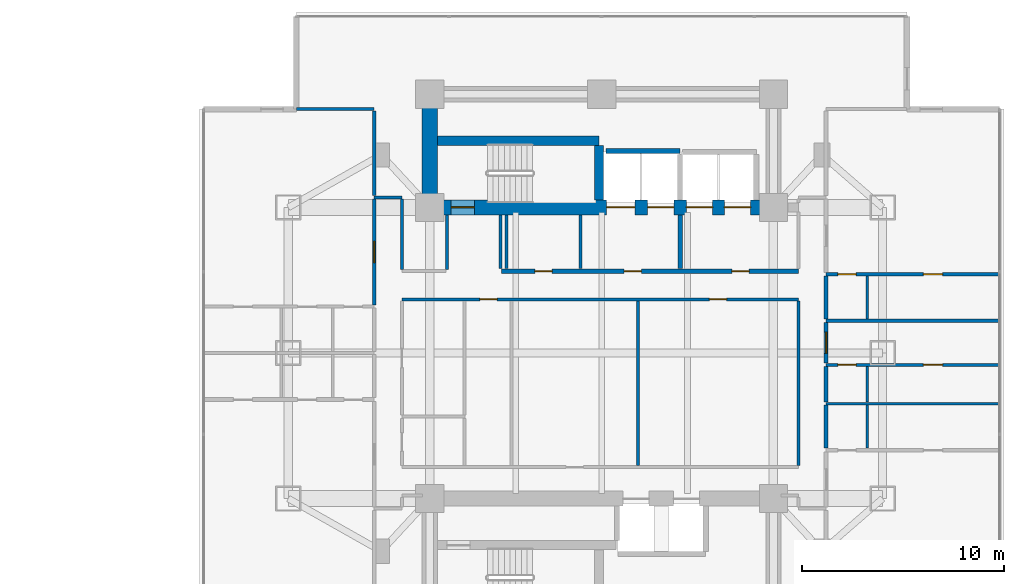
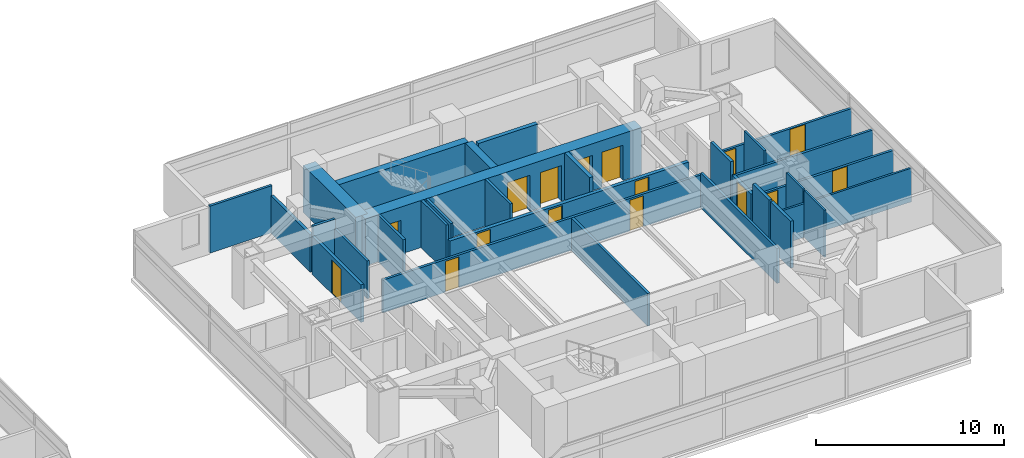
# One storey, part 19 of 26: 30 walls, 16 doors, 16 openings.
"""IFC4 building model written with IfcOpenShell, lengths in metres."""

from ifc_helpers import new_model, si_unit, direction, frame, frame_2d, origin, place, context, subcontext, project, spatial, rectangle, extrude, material, layer, layer_set, type_object, element, fill, save


model = new_model("IFC4")

# Units and contexts
model_context = context("Model", 3, precision=1e-05, world=origin(), true_north=direction((0.0, 1.0)))
body_context = subcontext(model_context, "Body", "Model", "MODEL_VIEW")
ifc_project = project(units=[si_unit("LENGTHUNIT", "METRE"), si_unit("AREAUNIT", "SQUARE_METRE"), si_unit("VOLUMEUNIT", "CUBIC_METRE"), si_unit("PLANEANGLEUNIT", "RADIAN"), si_unit("MASSUNIT", "GRAM", prefix="KILO")], contexts=[model_context])

# Site, building, storey
site_placement = place(None, origin())
site = spatial("IfcSite", under=ifc_project, at=site_placement, CompositionType="ELEMENT")
building_placement = place(site_placement, origin())
building = spatial("IfcBuilding", under=site, at=building_placement, Name="Mirazonda Arch Towers", CompositionType="ELEMENT")
storey_placement = place(building_placement, frame((0.0, 0.0, 48.800048828125)))
storey = spatial("IfcBuildingStorey", under=building, at=storey_placement, Name="L13", CompositionType="ELEMENT", Elevation=48.800048828125)

# Walls
ifc_material_1 = material(Name="Concrete C50/60", Category="concrete")
ifc_layer_1 = layer(ifc_material_1, 0.449951171875, Name="WALL-CORE-450")
ifc_layer_set_1 = layer_set([ifc_layer_1], Name="Concrete C50/60")
wall_type_1 = type_object("IfcWallType", Name="WALL-CORE-450", PredefinedType="SHEAR", material=ifc_layer_set_1)
wall_1_placement = place(storey_placement, frame((68.3701171875, 38.5, 0.0), z_axis=(0.0, 0.0, 1.0), x_axis=(1.0, 0.0, 0.0)))
element("IfcWall", 1, at=wall_1_placement, inside=storey, type_object=wall_type_1, Name="L13 Stair Core Shear Wall 055", PredefinedType="SHEAR", context=body_context, shape_type="SweptSolid", body=[
    extrude(rectangle(XDim=7.989990234375, YDim=0.449951171875, at=frame_2d((3.9951171875, 0.0))), origin(), (0.0, 0.0, 1.0), 3.06005859375),
])
wall_2_placement = place(storey_placement, frame((76.360107421875, 35.570068359375, 0.0), z_axis=(0.0, 0.0, 1.0), x_axis=(0.0, 1.0, 0.0)))
element("IfcWall", 2, at=wall_2_placement, inside=storey, type_object=wall_type_1, Name="L13 Stair Core Shear Wall 146", PredefinedType="SHEAR", context=body_context, shape_type="SweptSolid", body=[
    extrude(rectangle(XDim=2.69482421875, YDim=0.449951171875, at=frame_2d((1.347412109375, 0.0))), origin(), (0.0, 0.0, 1.0), 3.06005859375),
])
ifc_material_2 = material(Name="Concrete C60/75", Category="concrete")
ifc_layer_2 = layer(ifc_material_2, 0.75, Name="WALL-CORE-750")
ifc_layer_set_2 = layer_set([ifc_layer_2], Name="Concrete C60/75")
wall_type_2 = type_object("IfcWallType", Name="WALL-CORE-750", PredefinedType="SHEAR", material=ifc_layer_set_2)
wall_3_placement = place(storey_placement, frame((68.0, 35.199951171875, 0.0), z_axis=(0.0, 0.0, 1.0), x_axis=(0.0, 1.0, 0.0)))
element("IfcWall", 3, at=wall_3_placement, inside=storey, type_object=wall_type_2, Name="L13 T2N-W Core Shear Wall", PredefinedType="SHEAR", context=body_context, shape_type="SweptSolid", body=[
    extrude(rectangle(XDim=5.60009765625, YDim=0.75, at=frame_2d((2.800048828125, 0.0))), origin(), (0.0, 0.0, 1.0), 3.06005859375),
])

# Wall, openings, doors
wall_4_placement = place(storey_placement, frame((68.0, 35.199951171875, 0.0), z_axis=(0.0, 0.0, 1.0), x_axis=(1.0, 0.0, 0.0)))
wall_4 = element("IfcWall", 4, at=wall_4_placement, inside=storey, type_object=wall_type_2, Name="L13 T2N-S Core Shear Wall", PredefinedType="SHEAR", context=body_context, shape_type="SweptSolid", body=[
    extrude(rectangle(XDim=17.0, YDim=0.75, at=frame_2d((8.5, 0.0))), origin(), (0.0, 0.0, 1.0), 3.06005859375),
])
opening_1_placement = place(wall_4_placement, frame((1.06005859375, 0.0, 0.0)))
opening_1 = element("IfcOpeningElement", 5, at=opening_1_placement, cuts=wall_4, Name="Opening DR-135", PredefinedType="OPENING", context=body_context, shape_type="SweptSolid", body=[
    extrude(rectangle(XDim=1.14990234375, YDim=2.199951171875, at=frame_2d((0.574951171875, 1.10009765625))), frame((0.0, 0.385009765625, 0.0), z_axis=(0.0, -1.0, 0.0), x_axis=(1.0, 0.0, 0.0)), (0.0, 0.0, 1.0), 0.77001953125),
])
opening_2_placement = place(wall_4_placement, frame((8.75, 0.0, 0.0)))
opening_2 = element("IfcOpeningElement", 6, at=opening_2_placement, cuts=wall_4, Name="Opening LD-112", PredefinedType="OPENING", context=body_context, shape_type="SweptSolid", body=[
    extrude(rectangle(XDim=1.39990234375, YDim=2.35009765625, at=frame_2d((0.699951171875, 1.175048828125))), frame((0.0, 0.385009765625, 0.0), z_axis=(0.0, -1.0, 0.0), x_axis=(1.0, 0.0, 0.0)), (0.0, 0.0, 1.0), 0.77001953125),
])
opening_3_placement = place(wall_4_placement, frame((10.77001953125, 0.0, 0.0)))
opening_3 = element("IfcOpeningElement", 7, at=opening_3_placement, cuts=wall_4, Name="Opening LD-111", PredefinedType="OPENING", context=body_context, shape_type="SweptSolid", body=[
    extrude(rectangle(XDim=1.300048828125, YDim=2.300048828125, at=frame_2d((0.64990234375, 1.14990234375))), frame((0.0, 0.385009765625, 0.0), z_axis=(0.0, -1.0, 0.0), x_axis=(1.0, 0.0, 0.0)), (0.0, 0.0, 1.0), 0.77001953125),
])
opening_4_placement = place(wall_4_placement, frame((12.68994140625, 0.0, 0.0)))
opening_4 = element("IfcOpeningElement", 8, at=opening_4_placement, cuts=wall_4, Name="Opening LD-111", PredefinedType="OPENING", context=body_context, shape_type="SweptSolid", body=[
    extrude(rectangle(XDim=1.300048828125, YDim=2.300048828125, at=frame_2d((0.64990234375, 1.14990234375))), frame((0.0, 0.385009765625, 0.0), z_axis=(0.0, -1.0, 0.0), x_axis=(1.0, 0.0, 0.0)), (0.0, 0.0, 1.0), 0.77001953125),
])
opening_5_placement = place(wall_4_placement, frame((14.570068359375, 0.0, 0.0)))
opening_5 = element("IfcOpeningElement", 9, at=opening_5_placement, cuts=wall_4, Name="Opening LD-111", PredefinedType="OPENING", context=body_context, shape_type="SweptSolid", body=[
    extrude(rectangle(XDim=1.300048828125, YDim=2.300048828125, at=frame_2d((0.64990234375, 1.14990234375))), frame((0.0, 0.385009765625, 0.0), z_axis=(0.0, -1.0, 0.0), x_axis=(1.0, 0.0, 0.0)), (0.0, 0.0, 1.0), 0.77001953125),
])
ifc_material_3 = material(Name="Architectural Brushed Steel S355", Category="steel")
door_type_1 = type_object("IfcDoorType", Name="DOOR-LIFT-FFL-1400", OperationType="NOTDEFINED", PredefinedType="DOOR", material=ifc_material_3)
door_1_placement = place(opening_2_placement, origin())
door_1 = element("IfcDoor", 10, at=door_1_placement, inside=storey, type_object=door_type_1, Name="L13 Lift Landing Sliding Door FFL-T2", OperationType="DOUBLE_DOOR_SLIDING", OverallHeight=2.35009765625, OverallWidth=1.39990234375, PredefinedType="DOOR", context=body_context, shape_type="SweptSolid", body=[
    extrude(rectangle(XDim=1.39990234375, YDim=2.35009765625, at=frame_2d((0.699951171875, 1.175048828125))), frame((0.0, 0.02490234375, 0.0), z_axis=(0.0, -1.0, 0.0), x_axis=(1.0, 0.0, 0.0)), (0.0, 0.0, 1.0), 0.050048828125),
])
fill(opening_2, door_1)
door_type_2 = type_object("IfcDoorType", Name="DOOR-LIFT-LAND-1300", OperationType="NOTDEFINED", PredefinedType="DOOR", material=ifc_material_3)
door_2_placement = place(opening_3_placement, origin())
door_2 = element("IfcDoor", 11, at=door_2_placement, inside=storey, type_object=door_type_2, Name="L13 Lift Landing Sliding Door SVL-T2", OperationType="DOUBLE_DOOR_SLIDING", OverallHeight=2.300048828125, OverallWidth=1.300048828125, PredefinedType="DOOR", context=body_context, shape_type="SweptSolid", body=[
    extrude(rectangle(XDim=1.300048828125, YDim=2.300048828125, at=frame_2d((0.64990234375, 1.14990234375))), frame((0.0, 0.02490234375, 0.0), z_axis=(0.0, -1.0, 0.0), x_axis=(1.0, 0.0, 0.0)), (0.0, 0.0, 1.0), 0.050048828125),
])
fill(opening_3, door_2)
door_3_placement = place(opening_4_placement, origin())
door_3 = element("IfcDoor", 12, at=door_3_placement, inside=storey, type_object=door_type_2, Name="L13 Lift Landing Sliding Door PL-T2L1", OperationType="DOUBLE_DOOR_SLIDING", OverallHeight=2.300048828125, OverallWidth=1.300048828125, PredefinedType="DOOR", context=body_context, shape_type="SweptSolid", body=[
    extrude(rectangle(XDim=1.300048828125, YDim=2.300048828125, at=frame_2d((0.64990234375, 1.14990234375))), frame((0.0, 0.02490234375, 0.0), z_axis=(0.0, -1.0, 0.0), x_axis=(1.0, 0.0, 0.0)), (0.0, 0.0, 1.0), 0.050048828125),
])
fill(opening_4, door_3)
door_4_placement = place(opening_5_placement, origin())
door_4 = element("IfcDoor", 13, at=door_4_placement, inside=storey, type_object=door_type_2, Name="L13 Lift Landing Sliding Door PL-T2L2", OperationType="DOUBLE_DOOR_SLIDING", OverallHeight=2.300048828125, OverallWidth=1.300048828125, PredefinedType="DOOR", context=body_context, shape_type="SweptSolid", body=[
    extrude(rectangle(XDim=1.300048828125, YDim=2.300048828125, at=frame_2d((0.64990234375, 1.14990234375))), frame((0.0, 0.02490234375, 0.0), z_axis=(0.0, -1.0, 0.0), x_axis=(1.0, 0.0, 0.0)), (0.0, 0.0, 1.0), 0.050048828125),
])
fill(opening_5, door_4)
door_type_3 = type_object("IfcDoorType", Name="DOOR-STAIR-FD90-1150", OperationType="NOTDEFINED", PredefinedType="DOOR", material=ifc_material_3)
door_5_placement = place(opening_1_placement, origin())
door_5 = element("IfcDoor", 14, at=door_5_placement, inside=storey, type_object=door_type_3, Name="L13 East Protected Stair North Door", OperationType="SINGLE_SWING_LEFT", OverallHeight=2.199951171875, OverallWidth=1.14990234375, PredefinedType="DOOR", context=body_context, shape_type="SweptSolid", body=[
    extrude(rectangle(XDim=1.14990234375, YDim=2.199951171875, at=frame_2d((0.574951171875, 1.10009765625))), frame((0.0, 0.02490234375, 0.0), z_axis=(0.0, -1.0, 0.0), x_axis=(1.0, 0.0, 0.0)), (0.0, 0.0, 1.0), 0.050048828125),
])
fill(opening_1, door_5)

ifc_material_4 = material(Name="Concrete C40/50", Category="concrete")
ifc_layer_3 = layer(ifc_material_4, 0.219970703125, Name="WALL-FFL-220")
ifc_layer_set_3 = layer_set([ifc_layer_3], Name="Concrete C40/50")
wall_type_3 = type_object("IfcWallType", Name="WALL-FFL-220", PredefinedType="SOLIDWALL", material=ifc_layer_set_3)
wall_5_placement = place(storey_placement, frame((71.550048828125, 32.050048828125, 0.0), z_axis=(0.0, 0.0, 1.0), x_axis=(1.0, 0.0, 0.0)))
wall_5 = element("IfcWall", 15, at=wall_5_placement, inside=storey, type_object=wall_type_3, Name="L13 Interior Partition 042", PredefinedType="SOLIDWALL", context=body_context, shape_type="SweptSolid", body=[
    extrude(rectangle(XDim=14.699951171875, YDim=0.219970703125, at=frame_2d((7.35009765625, 0.0))), origin(), (0.0, 0.0, 1.0), 2.125),
])
opening_6_placement = place(wall_5_placement, frame((11.389892578125, 0.0, 0.0)))
opening_6 = element("IfcOpeningElement", 16, at=opening_6_placement, cuts=wall_5, Name="Opening DR-128", PredefinedType="OPENING", context=body_context, shape_type="SweptSolid", body=[
    extrude(rectangle(XDim=0.85009765625, YDim=2.010009765625, at=frame_2d((0.425048828125, 1.0048828125))), frame((0.0, 0.119873046875, 0.0), z_axis=(0.0, -1.0, 0.0), x_axis=(1.0, 0.0, 0.0)), (0.0, 0.0, 1.0), 0.239990234375),
])
opening_7_placement = place(wall_5_placement, frame((6.06494140625, 0.0, 0.0)))
opening_7 = element("IfcOpeningElement", 17, at=opening_7_placement, cuts=wall_5, Name="Opening DR-128", PredefinedType="OPENING", context=body_context, shape_type="SweptSolid", body=[
    extrude(rectangle(XDim=0.85009765625, YDim=2.010009765625, at=frame_2d((0.425048828125, 1.0048828125))), frame((0.0, 0.119873046875, 0.0), z_axis=(0.0, -1.0, 0.0), x_axis=(1.0, 0.0, 0.0)), (0.0, 0.0, 1.0), 0.239990234375),
])
opening_8_placement = place(wall_5_placement, frame((1.64990234375, 0.0, 0.0)))
opening_8 = element("IfcOpeningElement", 18, at=opening_8_placement, cuts=wall_5, Name="Opening DR-128", PredefinedType="OPENING", context=body_context, shape_type="SweptSolid", body=[
    extrude(rectangle(XDim=0.85009765625, YDim=2.010009765625, at=frame_2d((0.425048828125, 1.0048828125))), frame((0.0, 0.119873046875, 0.0), z_axis=(0.0, -1.0, 0.0), x_axis=(1.0, 0.0, 0.0)), (0.0, 0.0, 1.0), 0.239990234375),
])
door_type_4 = type_object("IfcDoorType", Name="DOOR-RISER-FD60-850", OperationType="NOTDEFINED", PredefinedType="DOOR", material=ifc_material_3)
door_6_placement = place(opening_6_placement, origin())
door_6 = element("IfcDoor", 19, at=door_6_placement, inside=storey, type_object=door_type_4, Name="L13 East Passenger Lift Lobby Door", OperationType="SINGLE_SWING_RIGHT", OverallHeight=2.010009765625, OverallWidth=0.85009765625, PredefinedType="DOOR", context=body_context, shape_type="SweptSolid", body=[
    extrude(rectangle(XDim=0.85009765625, YDim=2.010009765625, at=frame_2d((0.425048828125, 1.0048828125))), frame((0.0, 0.02490234375, 0.0), z_axis=(0.0, -1.0, 0.0), x_axis=(1.0, 0.0, 0.0)), (0.0, 0.0, 1.0), 0.050048828125),
])
fill(opening_6, door_6)
door_7_placement = place(opening_7_placement, origin())
door_7 = element("IfcDoor", 20, at=door_7_placement, inside=storey, type_object=door_type_4, Name="L13 East Firefighting Lift Lobby Door", OperationType="SINGLE_SWING_RIGHT", OverallHeight=2.010009765625, OverallWidth=0.85009765625, PredefinedType="DOOR", context=body_context, shape_type="SweptSolid", body=[
    extrude(rectangle(XDim=0.85009765625, YDim=2.010009765625, at=frame_2d((0.425048828125, 1.0048828125))), frame((0.0, 0.02490234375, 0.0), z_axis=(0.0, -1.0, 0.0), x_axis=(1.0, 0.0, 0.0)), (0.0, 0.0, 1.0), 0.050048828125),
])
fill(opening_7, door_7)
door_8_placement = place(opening_8_placement, origin())
door_8 = element("IfcDoor", 21, at=door_8_placement, inside=storey, type_object=door_type_4, Name="L13 Tower 2 Housekeeping & Linen Room Door", OperationType="SINGLE_SWING_LEFT", OverallHeight=2.010009765625, OverallWidth=0.85009765625, PredefinedType="DOOR", context=body_context, shape_type="SweptSolid", body=[
    extrude(rectangle(XDim=0.85009765625, YDim=2.010009765625, at=frame_2d((0.425048828125, 1.0048828125))), frame((0.0, 0.02490234375, 0.0), z_axis=(0.0, -1.0, 0.0), x_axis=(1.0, 0.0, 0.0)), (0.0, 0.0, 1.0), 0.050048828125),
])
fill(opening_8, door_8)

# Wall
wall_6_placement = place(storey_placement, frame((80.3798828125, 32.169921875, 0.0), z_axis=(0.0, 0.0, 1.0), x_axis=(0.0, 1.0, 0.0)))
element("IfcWall", 22, at=wall_6_placement, inside=storey, type_object=wall_type_3, Name="L13 Interior Partition 149", PredefinedType="SOLIDWALL", context=body_context, shape_type="SweptSolid", body=[
    extrude(rectangle(XDim=2.66015625, YDim=0.219970703125, at=frame_2d((1.330078125, 0.0))), origin(), (0.0, 0.0, 1.0), 3.06005859375),
])

# Wall, openings, doors
ifc_material_5 = material(Name="Fire-Rated Gypsum Stud Partition")
ifc_layer_4 = layer(ifc_material_5, 0.14990234375, Name="WALL-PART-CORR-150")
ifc_layer_set_4 = layer_set([ifc_layer_4], Name="Fire-Rated Gypsum Stud Partition")
wall_type_4 = type_object("IfcWallType", Name="WALL-PART-CORR-150", PredefinedType="PARTITIONING", material=ifc_layer_set_4)
wall_7_placement = place(storey_placement, frame((87.60009765625, 27.412109375, 0.0), z_axis=(0.0, 0.0, 1.0), x_axis=(1.0, 0.0, 0.0)))
wall_7 = element("IfcWall", 23, at=wall_7_placement, inside=storey, type_object=wall_type_4, Name="L13 Interior Partition 032", PredefinedType="PARTITIONING", context=body_context, shape_type="SweptSolid", body=[
    extrude(rectangle(XDim=8.583984375, YDim=0.14990234375, at=frame_2d((4.2919921875, 0.0))), origin(), (0.0, 0.0, 1.0), 2.196044921875),
])
opening_9_placement = place(wall_7_placement, frame((4.81689453125, 0.0, 0.0)))
opening_9 = element("IfcOpeningElement", 24, at=opening_9_placement, cuts=wall_7, Name="Opening DR-104", PredefinedType="OPENING", context=body_context, shape_type="SweptSolid", body=[
    extrude(rectangle(XDim=0.949951171875, YDim=2.14990234375, at=frame_2d((0.47509765625, 1.074951171875))), frame((0.0, 0.0849609375, 0.0), z_axis=(0.0, -1.0, 0.0), x_axis=(1.0, 0.0, 0.0)), (0.0, 0.0, 1.0), 0.169921875),
])
opening_10_placement = place(wall_7_placement, frame((0.590087890625, 0.0, 0.0)))
opening_10 = element("IfcOpeningElement", 25, at=opening_10_placement, cuts=wall_7, Name="Opening DR-120", PredefinedType="OPENING", context=body_context, shape_type="SweptSolid", body=[
    extrude(rectangle(XDim=0.89990234375, YDim=2.10009765625, at=frame_2d((0.449951171875, 1.050048828125))), frame((0.0, 0.0849609375, 0.0), z_axis=(0.0, -1.0, 0.0), x_axis=(1.0, 0.0, 0.0)), (0.0, 0.0, 1.0), 0.169921875),
])
door_type_5 = type_object("IfcDoorType", Name="DOOR-ROOM-950", OperationType="NOTDEFINED", PredefinedType="DOOR", material=ifc_material_3)
door_9_placement = place(opening_9_placement, origin())
door_9 = element("IfcDoor", 26, at=door_9_placement, inside=storey, type_object=door_type_5, Name="L13 Studio 2 Galley Kitchen Door", OperationType="SINGLE_SWING_RIGHT", OverallHeight=2.14990234375, OverallWidth=0.949951171875, PredefinedType="DOOR", context=body_context, shape_type="SweptSolid", body=[
    extrude(rectangle(XDim=0.949951171875, YDim=2.14990234375, at=frame_2d((0.47509765625, 1.074951171875))), frame((0.0, 0.02490234375, 0.0), z_axis=(0.0, -1.0, 0.0), x_axis=(1.0, 0.0, 0.0)), (0.0, 0.0, 1.0), 0.050048828125),
])
fill(opening_9, door_9)
door_type_6 = type_object("IfcDoorType", Name="DOOR-WC-900", OperationType="NOTDEFINED", PredefinedType="DOOR", material=ifc_material_3)
door_10_placement = place(opening_10_placement, origin())
door_10 = element("IfcDoor", 27, at=door_10_placement, inside=storey, type_object=door_type_6, Name="L13 Studio 2 Bathroom Door", OperationType="SINGLE_SWING_LEFT", OverallHeight=2.10009765625, OverallWidth=0.89990234375, PredefinedType="DOOR", context=body_context, shape_type="SweptSolid", body=[
    extrude(rectangle(XDim=0.89990234375, YDim=2.10009765625, at=frame_2d((0.449951171875, 1.050048828125))), frame((0.0, 0.02490234375, 0.0), z_axis=(0.0, -1.0, 0.0), x_axis=(1.0, 0.0, 0.0)), (0.0, 0.0, 1.0), 0.050048828125),
])
fill(opening_10, door_10)

# Wall
wall_8_placement = place(storey_placement, frame((87.60009765625, 29.595947265625, 0.0), z_axis=(0.0, 0.0, 1.0), x_axis=(1.0, 0.0, 0.0)))
element("IfcWall", 28, at=wall_8_placement, inside=storey, type_object=wall_type_4, Name="L13 Interior Partition 036", PredefinedType="PARTITIONING", context=body_context, shape_type="SweptSolid", body=[
    extrude(rectangle(XDim=8.583984375, YDim=0.14990234375, at=frame_2d((4.2919921875, 0.0))), origin(), (0.0, 0.0, 1.0), 2.196044921875),
])

# Wall, openings, doors
wall_9_placement = place(storey_placement, frame((66.6201171875, 30.64990234375, 0.0), z_axis=(0.0, 0.0, 1.0), x_axis=(1.0, 0.0, 0.0)))
wall_9 = element("IfcWall", 29, at=wall_9_placement, inside=storey, type_object=wall_type_4, Name="L13 Interior Partition 039", PredefinedType="PARTITIONING", context=body_context, shape_type="SweptSolid", body=[
    extrude(rectangle(XDim=19.6298828125, YDim=0.14990234375, at=frame_2d((9.81494140625, 0.0))), origin(), (0.0, 0.0, 1.0), 2.125),
])
opening_11_placement = place(wall_9_placement, frame((3.85498046875, 0.0, 0.0)))
opening_11 = element("IfcOpeningElement", 30, at=opening_11_placement, cuts=wall_9, Name="Opening DR-128", PredefinedType="OPENING", context=body_context, shape_type="SweptSolid", body=[
    extrude(rectangle(XDim=0.85009765625, YDim=2.010009765625, at=frame_2d((0.425048828125, 1.0048828125))), frame((0.0, 0.0849609375, 0.0), z_axis=(0.0, -1.0, 0.0), x_axis=(1.0, 0.0, 0.0)), (0.0, 0.0, 1.0), 0.169921875),
])
opening_12_placement = place(wall_9_placement, frame((15.208984375, 0.0, 0.0)))
opening_12 = element("IfcOpeningElement", 31, at=opening_12_placement, cuts=wall_9, Name="Opening DR-128", PredefinedType="OPENING", context=body_context, shape_type="SweptSolid", body=[
    extrude(rectangle(XDim=0.85009765625, YDim=2.010009765625, at=frame_2d((0.425048828125, 1.0048828125))), frame((0.0, 0.0849609375, 0.0), z_axis=(0.0, -1.0, 0.0), x_axis=(1.0, 0.0, 0.0)), (0.0, 0.0, 1.0), 0.169921875),
])
door_11_placement = place(opening_11_placement, origin())
door_11 = element("IfcDoor", 32, at=door_11_placement, inside=storey, type_object=door_type_4, Name="L13 L13 East Courtyard Study Door", OperationType="SINGLE_SWING_RIGHT", OverallHeight=2.010009765625, OverallWidth=0.85009765625, PredefinedType="DOOR", context=body_context, shape_type="SweptSolid", body=[
    extrude(rectangle(XDim=0.85009765625, YDim=2.010009765625, at=frame_2d((0.425048828125, 1.0048828125))), frame((0.0, 0.02490234375, 0.0), z_axis=(0.0, -1.0, 0.0), x_axis=(1.0, 0.0, 0.0)), (0.0, 0.0, 1.0), 0.050048828125),
])
fill(opening_11, door_11)
door_12_placement = place(opening_12_placement, origin())
door_12 = element("IfcDoor", 33, at=door_12_placement, inside=storey, type_object=door_type_4, Name="L13 Chamber Music & Screening Salon Door", OperationType="SINGLE_SWING_RIGHT", OverallHeight=2.010009765625, OverallWidth=0.85009765625, PredefinedType="DOOR", context=body_context, shape_type="SweptSolid", body=[
    extrude(rectangle(XDim=0.85009765625, YDim=2.010009765625, at=frame_2d((0.425048828125, 1.0048828125))), frame((0.0, 0.02490234375, 0.0), z_axis=(0.0, -1.0, 0.0), x_axis=(1.0, 0.0, 0.0)), (0.0, 0.0, 1.0), 0.050048828125),
])
fill(opening_12, door_12)

wall_10_placement = place(storey_placement, frame((87.60009765625, 31.89599609375, 0.0), z_axis=(0.0, 0.0, 1.0), x_axis=(1.0, 0.0, 0.0)))
wall_10 = element("IfcWall", 34, at=wall_10_placement, inside=storey, type_object=wall_type_4, Name="L13 Interior Partition 040", PredefinedType="PARTITIONING", context=body_context, shape_type="SweptSolid", body=[
    extrude(rectangle(XDim=8.583984375, YDim=0.14990234375, at=frame_2d((4.2919921875, 0.0))), origin(), (0.0, 0.0, 1.0), 2.196044921875),
])
opening_13_placement = place(wall_10_placement, frame((4.81689453125, 0.0, 0.0)))
opening_13 = element("IfcOpeningElement", 35, at=opening_13_placement, cuts=wall_10, Name="Opening DR-104", PredefinedType="OPENING", context=body_context, shape_type="SweptSolid", body=[
    extrude(rectangle(XDim=0.949951171875, YDim=2.14990234375, at=frame_2d((0.47509765625, 1.074951171875))), frame((0.0, 0.0849609375, 0.0), z_axis=(0.0, -1.0, 0.0), x_axis=(1.0, 0.0, 0.0)), (0.0, 0.0, 1.0), 0.169921875),
])
opening_14_placement = place(wall_10_placement, frame((0.590087890625, 0.0, 0.0)))
opening_14 = element("IfcOpeningElement", 36, at=opening_14_placement, cuts=wall_10, Name="Opening DR-120", PredefinedType="OPENING", context=body_context, shape_type="SweptSolid", body=[
    extrude(rectangle(XDim=0.89990234375, YDim=2.10009765625, at=frame_2d((0.449951171875, 1.050048828125))), frame((0.0, 0.0849609375, 0.0), z_axis=(0.0, -1.0, 0.0), x_axis=(1.0, 0.0, 0.0)), (0.0, 0.0, 1.0), 0.169921875),
])
door_13_placement = place(opening_13_placement, origin())
door_13 = element("IfcDoor", 37, at=door_13_placement, inside=storey, type_object=door_type_5, Name="L13 Studio 3 Galley Kitchen Door", OperationType="SINGLE_SWING_LEFT", OverallHeight=2.14990234375, OverallWidth=0.949951171875, PredefinedType="DOOR", context=body_context, shape_type="SweptSolid", body=[
    extrude(rectangle(XDim=0.949951171875, YDim=2.14990234375, at=frame_2d((0.47509765625, 1.074951171875))), frame((0.0, 0.02490234375, 0.0), z_axis=(0.0, -1.0, 0.0), x_axis=(1.0, 0.0, 0.0)), (0.0, 0.0, 1.0), 0.050048828125),
])
fill(opening_13, door_13)
door_14_placement = place(opening_14_placement, origin())
door_14 = element("IfcDoor", 38, at=door_14_placement, inside=storey, type_object=door_type_6, Name="L13 Studio 3 Bathroom Door", OperationType="SINGLE_SWING_RIGHT", OverallHeight=2.10009765625, OverallWidth=0.89990234375, PredefinedType="DOOR", context=body_context, shape_type="SweptSolid", body=[
    extrude(rectangle(XDim=0.89990234375, YDim=2.10009765625, at=frame_2d((0.449951171875, 1.050048828125))), frame((0.0, 0.02490234375, 0.0), z_axis=(0.0, -1.0, 0.0), x_axis=(1.0, 0.0, 0.0)), (0.0, 0.0, 1.0), 0.050048828125),
])
fill(opening_14, door_14)

# Walls
wall_11_placement = place(storey_placement, frame((65.25, 35.699951171875, 0.0), z_axis=(0.0, 0.0, 1.0), x_axis=(1.0, 0.0, 0.0)))
element("IfcWall", 39, at=wall_11_placement, inside=storey, type_object=wall_type_4, Name="L13 Interior Partition 051", PredefinedType="PARTITIONING", context=body_context, shape_type="SweptSolid", body=[
    extrude(rectangle(XDim=1.3701171875, YDim=0.14990234375, at=frame_2d((0.68505859375, 0.0))), origin(), (0.0, 0.0, 1.0), 3.06005859375),
])
wall_12_placement = place(storey_placement, frame((61.416015625, 40.06591796875, 0.0), z_axis=(0.0, 0.0, 1.0), x_axis=(1.0, 0.0, 0.0)))
element("IfcWall", 40, at=wall_12_placement, inside=storey, type_object=wall_type_4, Name="L13 Interior Partition 057", PredefinedType="PARTITIONING", context=body_context, shape_type="SweptSolid", body=[
    extrude(rectangle(XDim=3.833984375, YDim=0.14990234375, at=frame_2d((1.9169921875, 0.0))), origin(), (0.0, 0.0, 1.0), 3.06005859375),
])
wall_13_placement = place(storey_placement, frame((66.6201171875, 32.135009765625, 0.0), z_axis=(0.0, 0.0, 1.0), x_axis=(0.0, 1.0, 0.0)))
element("IfcWall", 41, at=wall_13_placement, inside=storey, type_object=wall_type_4, Name="L13 Interior Partition 137", PredefinedType="PARTITIONING", context=body_context, shape_type="SweptSolid", body=[
    extrude(rectangle(XDim=3.47998046875, YDim=0.14990234375, at=frame_2d((1.739990234375, 0.0))), origin(), (0.0, 0.0, 1.0), 2.451904296875),
])
wall_14_placement = place(storey_placement, frame((68.85009765625, 32.135009765625, 0.0), z_axis=(0.0, 0.0, 1.0), x_axis=(0.0, 1.0, 0.0)))
element("IfcWall", 42, at=wall_14_placement, inside=storey, type_object=wall_type_4, Name="L13 Interior Partition 138", PredefinedType="PARTITIONING", context=body_context, shape_type="SweptSolid", body=[
    extrude(rectangle(XDim=2.695068359375, YDim=0.14990234375, at=frame_2d((1.34765625, 0.0))), origin(), (0.0, 0.0, 1.0), 3.06005859375),
])
for number, where, z_axis, x_axis, name in (
    (43, (71.5, 32.169921875, 0.0), (0.0, 0.0, 1.0), (0.0, 1.0, 0.0), "L13 Interior Partition 141"),
    (44, (71.800048828125, 32.169921875, 0.0), (0.0, 0.0, 1.0), (0.0, 1.0, 0.0), "L13 Interior Partition 142"),
    (45, (75.449951171875, 32.169921875, 0.0), (0.0, 0.0, 1.0), (0.0, 1.0, 0.0), "L13 Interior Partition 144"),
):
    element("IfcWall", number, at=place(storey_placement, frame(where, z_axis=z_axis, x_axis=x_axis)), inside=storey, type_object=wall_type_4, Name=name, PredefinedType="PARTITIONING", context=body_context, shape_type="SweptSolid", body=[
        extrude(rectangle(XDim=2.66015625, YDim=0.14990234375, at=frame_2d((1.330078125, 0.0))), origin(), (0.0, 0.0, 1.0), 3.06005859375),
    ])
wall_15_placement = place(storey_placement, frame((78.298095703125, 22.43505859375, 0.0), z_axis=(0.0, 0.0, 1.0), x_axis=(0.0, 1.0, 0.0)))
element("IfcWall", 46, at=wall_15_placement, inside=storey, type_object=wall_type_4, Name="L13 Interior Partition 148", PredefinedType="PARTITIONING", context=body_context, shape_type="SweptSolid", body=[
    extrude(rectangle(XDim=8.1298828125, YDim=0.14990234375, at=frame_2d((4.06494140625, 0.0))), origin(), (0.0, 0.0, 1.0), 2.125),
])
wall_16_placement = place(storey_placement, frame((86.25, 22.43505859375, 0.0), z_axis=(0.0, 0.0, 1.0), x_axis=(0.0, 1.0, 0.0)))
element("IfcWall", 47, at=wall_16_placement, inside=storey, type_object=wall_type_4, Name="L13 Interior Partition 154", PredefinedType="PARTITIONING", context=body_context, shape_type="SweptSolid", body=[
    extrude(rectangle(XDim=8.1298828125, YDim=0.14990234375, at=frame_2d((4.06494140625, 0.0))), origin(), (0.0, 0.0, 1.0), 2.279052734375),
])

# Wall, opening, door
ifc_material_6 = material(Name="Fire-Rated Gypsum Twin-Stud Assembly")
ifc_layer_5 = layer(ifc_material_6, 0.179931640625, Name="WALL-PART-DEMISE-180")
ifc_layer_set_5 = layer_set([ifc_layer_5], Name="Fire-Rated Gypsum Twin-Stud Assembly")
wall_type_5 = type_object("IfcWallType", Name="WALL-PART-DEMISE-180", PredefinedType="PARTITIONING", material=ifc_layer_set_5)
wall_17_placement = place(storey_placement, frame((65.25, 30.385009765625, 0.0), z_axis=(0.0, 0.0, 1.0), x_axis=(0.0, 1.0, 0.0)))
wall_17 = element("IfcWall", 48, at=wall_17_placement, inside=storey, type_object=wall_type_5, Name="L13 Interior Partition 132", PredefinedType="PARTITIONING", context=body_context, shape_type="SweptSolid", body=[
    extrude(rectangle(XDim=5.22998046875, YDim=0.179931640625, at=frame_2d((2.614990234375, 0.0))), origin(), (0.0, 0.0, 1.0), 2.451904296875),
])
opening_15_placement = place(wall_17_placement, frame((2.090087890625, 0.0, 0.0)))
opening_15 = element("IfcOpeningElement", 49, at=opening_15_placement, cuts=wall_17, Name="Opening DR-121", PredefinedType="OPENING", context=body_context, shape_type="SweptSolid", body=[
    extrude(rectangle(XDim=1.050048828125, YDim=2.199951171875, at=frame_2d((0.52490234375, 1.10009765625))), frame((0.0, 0.099853515625, 0.0), z_axis=(0.0, -1.0, 0.0), x_axis=(1.0, 0.0, 0.0)), (0.0, 0.0, 1.0), 0.199951171875),
])
door_type_7 = type_object("IfcDoorType", Name="DOOR-SUITE-FD60-1050", OperationType="NOTDEFINED", PredefinedType="DOOR", material=ifc_material_3)
door_15_placement = place(opening_15_placement, origin())
door_15 = element("IfcDoor", 50, at=door_15_placement, inside=storey, type_object=door_type_7, Name="L13 Residence 2 Living & Dining Salon Door", OperationType="SINGLE_SWING_RIGHT", OverallHeight=2.199951171875, OverallWidth=1.050048828125, PredefinedType="DOOR", context=body_context, shape_type="SweptSolid", body=[
    extrude(rectangle(XDim=1.050048828125, YDim=2.199951171875, at=frame_2d((0.52490234375, 1.10009765625))), frame((0.0, 0.02490234375, 0.0), z_axis=(0.0, -1.0, 0.0), x_axis=(1.0, 0.0, 0.0)), (0.0, 0.0, 1.0), 0.050048828125),
])
fill(opening_15, door_15)

# Walls
wall_18_placement = place(storey_placement, frame((65.25, 35.784912109375, 0.0), z_axis=(0.0, 0.0, 1.0), x_axis=(0.0, 1.0, 0.0)))
element("IfcWall", 51, at=wall_18_placement, inside=storey, type_object=wall_type_5, Name="L13 Interior Partition 133", PredefinedType="PARTITIONING", context=body_context, shape_type="SweptSolid", body=[
    extrude(rectangle(XDim=4.196044921875, YDim=0.179931640625, at=frame_2d((2.09814453125, 0.0))), origin(), (0.0, 0.0, 1.0), 2.43603515625),
])
wall_19_placement = place(storey_placement, frame((87.60009765625, 23.2919921875, 0.0), z_axis=(0.0, 0.0, 1.0), x_axis=(0.0, 1.0, 0.0)))
element("IfcWall", 52, at=wall_19_placement, inside=storey, type_object=wall_type_5, Name="L13 Interior Partition 159", PredefinedType="PARTITIONING", context=body_context, shape_type="SweptSolid", body=[
    extrude(rectangle(XDim=2.12744140625, YDim=0.179931640625, at=frame_2d((1.063720703125, 0.0))), origin(), (0.0, 0.0, 1.0), 3.06005859375),
])
wall_20_placement = place(storey_placement, frame((87.60009765625, 25.564453125, 0.0), z_axis=(0.0, 0.0, 1.0), x_axis=(0.0, 1.0, 0.0)))
element("IfcWall", 53, at=wall_20_placement, inside=storey, type_object=wall_type_5, Name="L13 Interior Partition 160", PredefinedType="PARTITIONING", context=body_context, shape_type="SweptSolid", body=[
    extrude(rectangle(XDim=1.762451171875, YDim=0.179931640625, at=frame_2d((0.88134765625, 0.0))), origin(), (0.0, 0.0, 1.0), 3.06005859375),
])

# Wall, opening, door
wall_21_placement = place(storey_placement, frame((87.60009765625, 27.4970703125, 0.0), z_axis=(0.0, 0.0, 1.0), x_axis=(0.0, 1.0, 0.0)))
wall_21 = element("IfcWall", 54, at=wall_21_placement, inside=storey, type_object=wall_type_5, Name="L13 Interior Partition 161", PredefinedType="PARTITIONING", context=body_context, shape_type="SweptSolid", body=[
    extrude(rectangle(XDim=2.013916015625, YDim=0.179931640625, at=frame_2d((1.0068359375, 0.0))), origin(), (0.0, 0.0, 1.0), 2.279052734375),
])
opening_16_placement = place(wall_21_placement, frame((0.48193359375, 0.0, 0.0)))
opening_16 = element("IfcOpeningElement", 55, at=opening_16_placement, cuts=wall_21, Name="Opening DR-121", PredefinedType="OPENING", context=body_context, shape_type="SweptSolid", body=[
    extrude(rectangle(XDim=1.050048828125, YDim=2.199951171875, at=frame_2d((0.52490234375, 1.10009765625))), frame((0.0, 0.099853515625, 0.0), z_axis=(0.0, -1.0, 0.0), x_axis=(1.0, 0.0, 0.0)), (0.0, 0.0, 1.0), 0.199951171875),
])
door_16_placement = place(opening_16_placement, origin())
door_16 = element("IfcDoor", 56, at=door_16_placement, inside=storey, type_object=door_type_7, Name="L13 Studio Apartment 2 Living Salon Door", OperationType="SINGLE_SWING_LEFT", OverallHeight=2.199951171875, OverallWidth=1.050048828125, PredefinedType="DOOR", context=body_context, shape_type="SweptSolid", body=[
    extrude(rectangle(XDim=1.050048828125, YDim=2.199951171875, at=frame_2d((0.52490234375, 1.10009765625))), frame((0.0, 0.02490234375, 0.0), z_axis=(0.0, -1.0, 0.0), x_axis=(1.0, 0.0, 0.0)), (0.0, 0.0, 1.0), 0.050048828125),
])
fill(opening_16, door_16)

# Walls
wall_22_placement = place(storey_placement, frame((87.60009765625, 29.680908203125, 0.0), z_axis=(0.0, 0.0, 1.0), x_axis=(0.0, 1.0, 0.0)))
element("IfcWall", 57, at=wall_22_placement, inside=storey, type_object=wall_type_5, Name="L13 Interior Partition 162", PredefinedType="PARTITIONING", context=body_context, shape_type="SweptSolid", body=[
    extrude(rectangle(XDim=2.130126953125, YDim=0.179931640625, at=frame_2d((1.06494140625, 0.0))), origin(), (0.0, 0.0, 1.0), 3.06005859375),
])
ifc_material_7 = material(Name="Acoustic Fire-Rated Gypsum Partition")
ifc_layer_6 = layer(ifc_material_7, 0.125, Name="WALL-PART-UNIT-125")
ifc_layer_set_6 = layer_set([ifc_layer_6], Name="Acoustic Fire-Rated Gypsum Partition")
wall_type_6 = type_object("IfcWallType", Name="WALL-PART-UNIT-125", PredefinedType="PARTITIONING", material=ifc_layer_set_6)
wall_23_placement = place(storey_placement, frame((87.60009765625, 25.491943359375, 0.0), z_axis=(0.0, 0.0, 1.0), x_axis=(1.0, 0.0, 0.0)))
element("IfcWall", 58, at=wall_23_placement, inside=storey, type_object=wall_type_6, Name="L13 Interior Partition 030", PredefinedType="PARTITIONING", context=body_context, shape_type="SweptSolid", body=[
    extrude(rectangle(XDim=8.583984375, YDim=0.125, at=frame_2d((4.2919921875, 0.0))), origin(), (0.0, 0.0, 1.0), 2.196044921875),
])
wall_24_placement = place(storey_placement, frame((89.639892578125, 23.2919921875, 0.0), z_axis=(0.0, 0.0, 1.0), x_axis=(0.0, 1.0, 0.0)))
element("IfcWall", 59, at=wall_24_placement, inside=storey, type_object=wall_type_6, Name="L13 Interior Partition 165", PredefinedType="PARTITIONING", context=body_context, shape_type="SweptSolid", body=[
    extrude(rectangle(XDim=2.12744140625, YDim=0.125, at=frame_2d((1.063720703125, 0.0))), origin(), (0.0, 0.0, 1.0), 3.06005859375),
])
wall_25_placement = place(storey_placement, frame((89.639892578125, 25.564453125, 0.0), z_axis=(0.0, 0.0, 1.0), x_axis=(0.0, 1.0, 0.0)))
element("IfcWall", 60, at=wall_25_placement, inside=storey, type_object=wall_type_6, Name="L13 Interior Partition 166", PredefinedType="PARTITIONING", context=body_context, shape_type="SweptSolid", body=[
    extrude(rectangle(XDim=1.762451171875, YDim=0.125, at=frame_2d((0.88134765625, 0.0))), origin(), (0.0, 0.0, 1.0), 3.06005859375),
])
wall_26_placement = place(storey_placement, frame((89.639892578125, 29.680908203125, 0.0), z_axis=(0.0, 0.0, 1.0), x_axis=(0.0, 1.0, 0.0)))
element("IfcWall", 61, at=wall_26_placement, inside=storey, type_object=wall_type_6, Name="L13 Interior Partition 167", PredefinedType="PARTITIONING", context=body_context, shape_type="SweptSolid", body=[
    extrude(rectangle(XDim=2.130126953125, YDim=0.125, at=frame_2d((1.06494140625, 0.0))), origin(), (0.0, 0.0, 1.0), 3.06005859375),
])
ifc_layer_7 = layer(ifc_material_4, 0.25, Name="WALL-SHAFT-250")
ifc_layer_set_7 = layer_set([ifc_layer_7], Name="Concrete C40/50")
wall_type_7 = type_object("IfcWallType", Name="WALL-SHAFT-250", PredefinedType="SOLIDWALL", material=ifc_layer_set_7)
wall_27_placement = place(storey_placement, frame((76.719970703125, 38.0, 0.0), z_axis=(0.0, 0.0, 1.0), x_axis=(1.0, 0.0, 0.0)))
element("IfcWall", 62, at=wall_27_placement, inside=storey, type_object=wall_type_7, Name="L13 Interior Partition 054", PredefinedType="SOLIDWALL", context=body_context, shape_type="SweptSolid", body=[
    extrude(rectangle(XDim=3.659912109375, YDim=0.25, at=frame_2d((1.830078125, 0.0))), origin(), (0.0, 0.0, 1.0), 3.06005859375),
])

save(model, "model.ifc")
